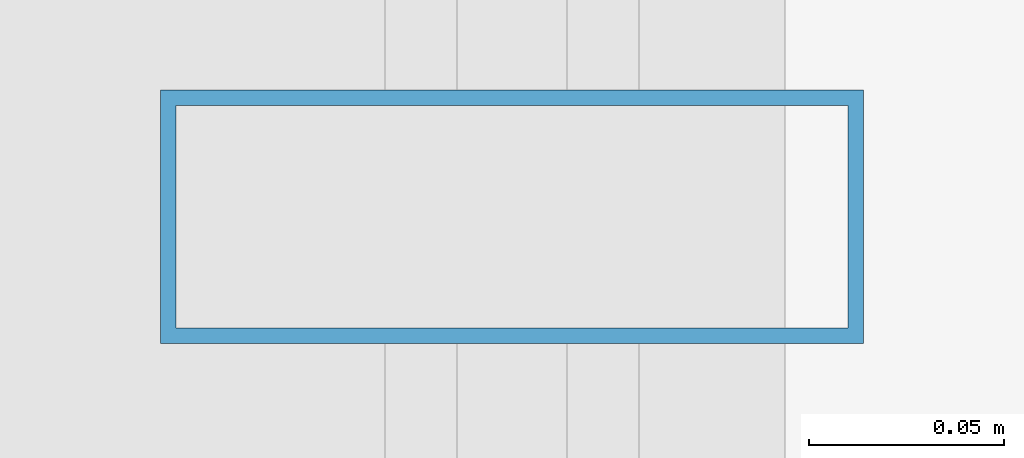
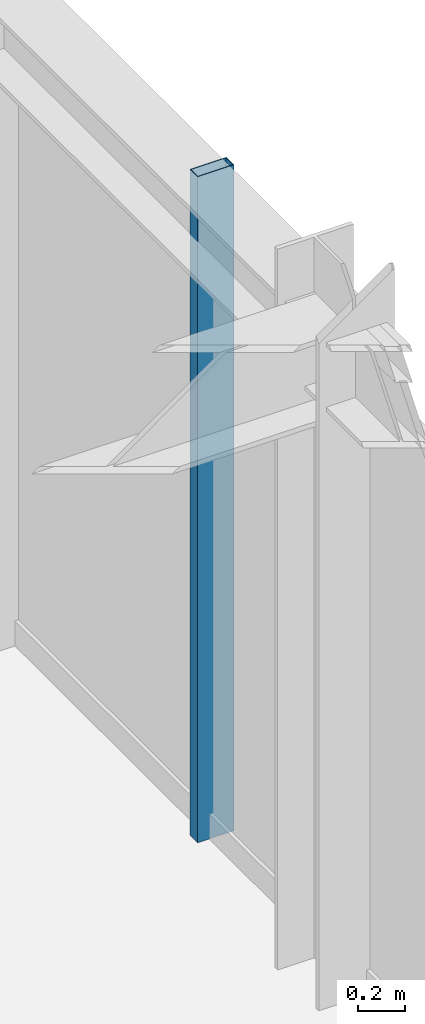
# One storey, part 16 of 34: 1 member, 1 element without a shape of its own.
"""IFC4 building model written with IfcOpenShell, lengths in metres."""

from ifc_helpers import new_model, si_unit, direction, frame, origin, origin_2d, place, context, subcontext, project, spatial, hollow_rectangle, extrude, source, transform, mapped, material, material_profile, profile_set, type_object, element, aggregate, save


model = new_model("IFC4")

# Units and contexts
model_context = context("Model", 3, precision=1e-05, world=origin(), true_north=direction((0.0, 1.0)))
body_context = subcontext(model_context, "Body", "Model", "MODEL_VIEW")
ifc_project = project(units=[si_unit("LENGTHUNIT", "METRE"), si_unit("AREAUNIT", "SQUARE_METRE"), si_unit("VOLUMEUNIT", "CUBIC_METRE"), si_unit("PLANEANGLEUNIT", "RADIAN"), si_unit("MASSUNIT", "GRAM", prefix="KILO")], contexts=[model_context])

# Site, building, storey
site_placement = place(None, origin())
site = spatial("IfcSite", under=ifc_project, at=site_placement, CompositionType="ELEMENT")
building_placement = place(site_placement, origin())
building = spatial("IfcBuilding", under=site, at=building_placement, Name="Nahalor Promenade Grand Hotel", CompositionType="ELEMENT")
storey_placement = place(building_placement, frame((0.0, 0.0, 334.75)))
storey = spatial("IfcBuildingStorey", under=building, at=storey_placement, Name="L86", CompositionType="ELEMENT", Elevation=334.75)

# Curtain wall, member
ifc_material = material(Name="Anodised Bronze Aluminium EN AW-6063 T6", Category="aluminium")
curtain_wall_type = type_object("IfcCurtainWallType", Name="CW2 Typical Hotel Flush Bronze Unitised Curtain Wall", PredefinedType="USERDEFINED", material=ifc_material)
curtain_wall_placement = place(storey_placement, origin())
curtain_wall = element("IfcCurtainWall", 1, at=curtain_wall_placement, inside=storey, type_object=curtain_wall_type, Name="L86 Curtain Wall CW-L86-E-1", ObjectType="UNITISED_CURTAIN_WALL", PredefinedType="USERDEFINED")
ifc_material_profile = material_profile(ifc_material, hollow_rectangle(XDim=0.065, YDim=0.18, WallThickness=0.004, at=origin_2d()), Name="CWM 65x180x4")
ifc_profile_set = profile_set([ifc_material_profile], Name="Anodised Bronze Aluminium EN AW-6063 T6")
member_type = type_object("IfcMemberType", Name="CWM2 Typical Bronze Mullion 65x180", PredefinedType="MULLION", material=ifc_profile_set)
shared_shape = source(origin(), body_context, "Body", "SweptSolid", [
    extrude(hollow_rectangle(XDim=0.065, YDim=0.18, WallThickness=0.004, at=origin_2d()), origin(), (0.0, 0.0, 1.0), 3.469970703125),
])
member_placement = place(storey_placement, frame((22.56005859375, 6.586669921875, 0.0), z_axis=(0.0, 0.0, 1.0), x_axis=(0.0, 1.0, 0.0)))
member = element("IfcMember", 2, at=member_placement, type_object=member_type, Name="CW-L86-E-1 Mullion 2", PredefinedType="MULLION", context=body_context, shape_type="MappedRepresentation", body=[
    mapped(shared_shape, transform((0.0, 0.0, 0.0), scale=1.0)),
])
aggregate(curtain_wall, [member])

save(model, "model.ifc")
